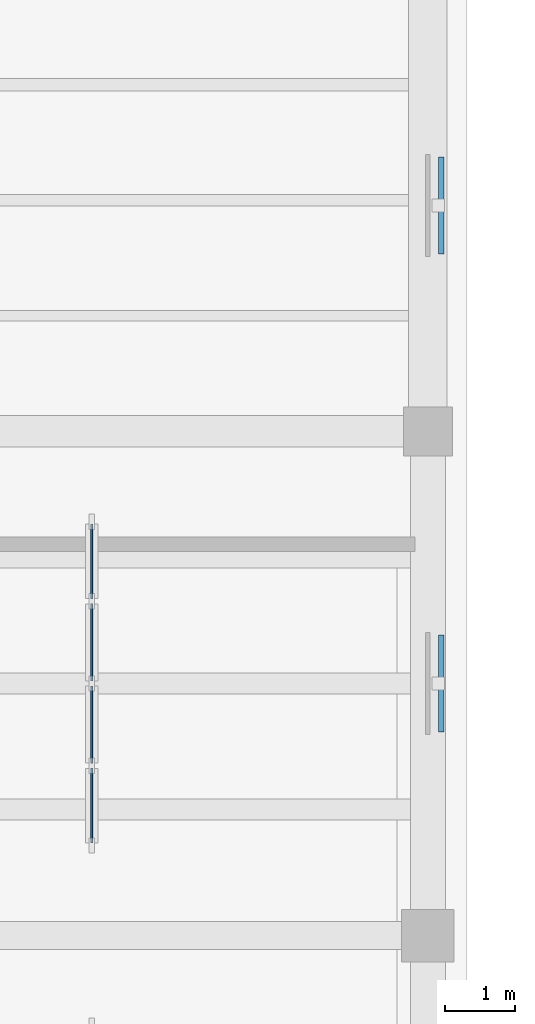
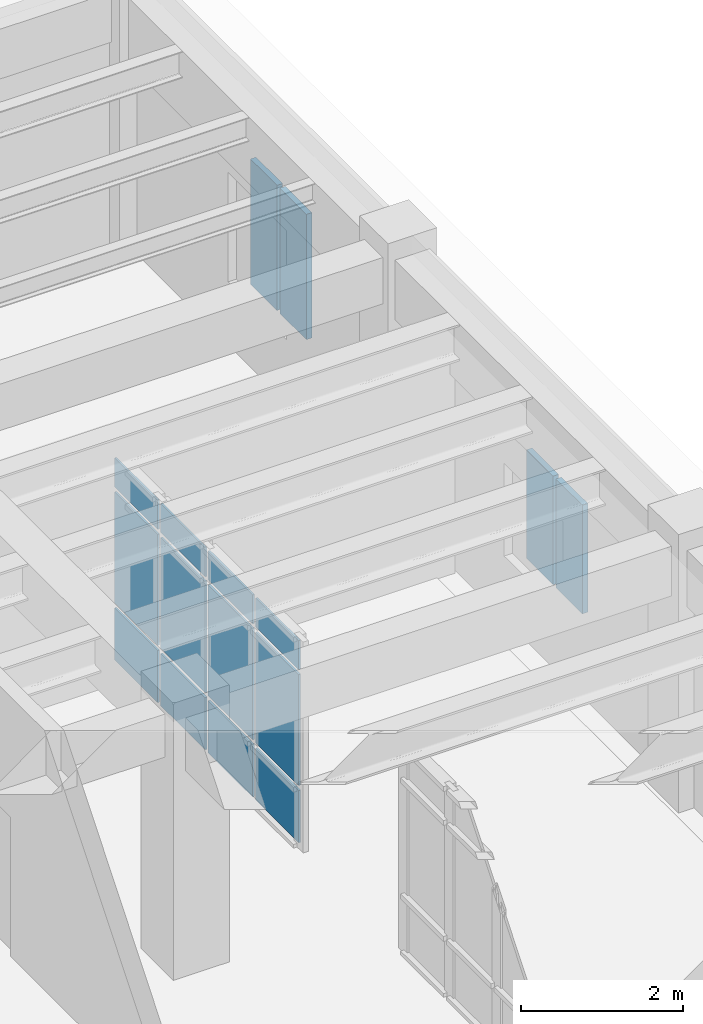
# One storey, part 47 of 76: 16 plates, 1 element without a shape of its own.
"""IFC4 building model written with IfcOpenShell, lengths in metres."""

from ifc_helpers import new_model, si_unit, direction, frame, origin, origin_2d, place, context, subcontext, project, spatial, rectangle, extrude, material, layer, layer_set, type_object, element, aggregate, save


model = new_model("IFC4")

# Units and contexts
model_context = context("Model", 3, precision=1e-05, world=origin(), true_north=direction((0.0, 1.0)))
body_context = subcontext(model_context, "Body", "Model", "MODEL_VIEW")
ifc_project = project(units=[si_unit("LENGTHUNIT", "METRE"), si_unit("AREAUNIT", "SQUARE_METRE"), si_unit("VOLUMEUNIT", "CUBIC_METRE"), si_unit("PLANEANGLEUNIT", "RADIAN"), si_unit("MASSUNIT", "GRAM", prefix="KILO")], contexts=[model_context])

# Site, building, storey
site_placement = place(None, origin())
site = spatial("IfcSite", under=ifc_project, at=site_placement, CompositionType="ELEMENT")
building_placement = place(site_placement, origin())
building = spatial("IfcBuilding", under=site, at=building_placement, Name="Mithqara Police Headquarters", CompositionType="ELEMENT")
storey_placement = place(building_placement, frame((0.0, 0.0, 5.39990234375)))
storey = spatial("IfcBuildingStorey", under=building, at=storey_placement, Name="L01", CompositionType="ELEMENT", Elevation=5.39990234375)

# Curtain wall, plates
ifc_material_1 = material(Name="Bronze anodised aluminium 6063-T6", Category="aluminium")
curtain_wall_type = type_object("IfcCurtainWallType", Name="CURTAIN WALL 4700X3200", PredefinedType="USERDEFINED", material=ifc_material_1)
curtain_wall_placement = place(storey_placement, origin())
curtain_wall = element("IfcCurtainWall", 1, at=curtain_wall_placement, inside=storey, type_object=curtain_wall_type, Name="L01 Unitised Glazing CW-15 (CW-INT-L01-X22-Y14-0)", ObjectType="UNITISED GLAZING", PredefinedType="USERDEFINED")
ifc_material_2 = material(Name="Spectrally selective double low-e glass", Category="glass")
ifc_layer_1 = layer(ifc_material_2, 0.028076171875, Name="Spectrally selective double low-e glass")
ifc_layer_set_1 = layer_set([ifc_layer_1], Name="Spectrally selective double low-e glass")
plate_type_1 = type_object("IfcPlateType", Name="CWPANEL GLASS28", PredefinedType="CURTAIN_PANEL", material=ifc_layer_set_1)
plate_1_placement = place(storey_placement, frame((161.39990234375, 102.05615234375, 0.074951171875), z_axis=(0.0, 0.0, 1.0), x_axis=(0.0, 1.0, 0.0)))
plate_1 = element("IfcPlate", 2, at=plate_1_placement, type_object=plate_type_1, Name="CW-15 panel 1.1", PredefinedType="CURTAIN_PANEL", context=body_context, shape_type="SweptSolid", body=[
    extrude(rectangle(XDim=1.0625, YDim=0.028076171875, at=origin_2d()), origin(), (0.0, 0.0, 1.0), 0.78759765625),
])
plate_2_placement = place(storey_placement, frame((161.39990234375, 102.05615234375, 0.9375), z_axis=(0.0, 0.0, 1.0), x_axis=(0.0, 1.0, 0.0)))
plate_2 = element("IfcPlate", 3, at=plate_2_placement, type_object=plate_type_1, Name="CW-15 panel 1.2", PredefinedType="CURTAIN_PANEL", context=body_context, shape_type="SweptSolid", body=[
    extrude(rectangle(XDim=1.0625, YDim=0.028076171875, at=origin_2d()), origin(), (0.0, 0.0, 1.0), 1.675048828125),
])
plate_3_placement = place(storey_placement, frame((161.39990234375, 102.05615234375, 2.6875), z_axis=(0.0, 0.0, 1.0), x_axis=(0.0, 1.0, 0.0)))
plate_3 = element("IfcPlate", 4, at=plate_3_placement, type_object=plate_type_1, Name="CW-15 panel 1.3", PredefinedType="CURTAIN_PANEL", context=body_context, shape_type="SweptSolid", body=[
    extrude(rectangle(XDim=1.0625, YDim=0.028076171875, at=origin_2d()), origin(), (0.0, 0.0, 1.0), 0.4375),
])
plate_4_placement = place(storey_placement, frame((161.39990234375, 103.21240234375, 0.074951171875), z_axis=(0.0, 0.0, 1.0), x_axis=(0.0, 1.0, 0.0)))
plate_4 = element("IfcPlate", 5, at=plate_4_placement, type_object=plate_type_1, Name="CW-15 panel 2.1", PredefinedType="CURTAIN_PANEL", context=body_context, shape_type="SweptSolid", body=[
    extrude(rectangle(XDim=1.10009765625, YDim=0.028076171875, at=origin_2d()), origin(), (0.0, 0.0, 1.0), 0.78759765625),
])
plate_5_placement = place(storey_placement, frame((161.39990234375, 103.21240234375, 0.9375), z_axis=(0.0, 0.0, 1.0), x_axis=(0.0, 1.0, 0.0)))
plate_5 = element("IfcPlate", 6, at=plate_5_placement, type_object=plate_type_1, Name="CW-15 panel 2.2", PredefinedType="CURTAIN_PANEL", context=body_context, shape_type="SweptSolid", body=[
    extrude(rectangle(XDim=1.10009765625, YDim=0.028076171875, at=origin_2d()), origin(), (0.0, 0.0, 1.0), 1.675048828125),
])
plate_6_placement = place(storey_placement, frame((161.39990234375, 103.21240234375, 2.6875), z_axis=(0.0, 0.0, 1.0), x_axis=(0.0, 1.0, 0.0)))
plate_6 = element("IfcPlate", 7, at=plate_6_placement, type_object=plate_type_1, Name="CW-15 panel 2.3", PredefinedType="CURTAIN_PANEL", context=body_context, shape_type="SweptSolid", body=[
    extrude(rectangle(XDim=1.10009765625, YDim=0.028076171875, at=origin_2d()), origin(), (0.0, 0.0, 1.0), 0.4375),
])
plate_7_placement = place(storey_placement, frame((161.39990234375, 104.387451171875, 0.074951171875), z_axis=(0.0, 0.0, 1.0), x_axis=(0.0, 1.0, 0.0)))
plate_7 = element("IfcPlate", 8, at=plate_7_placement, type_object=plate_type_1, Name="CW-15 panel 3.1", PredefinedType="CURTAIN_PANEL", context=body_context, shape_type="SweptSolid", body=[
    extrude(rectangle(XDim=1.10009765625, YDim=0.028076171875, at=origin_2d()), origin(), (0.0, 0.0, 1.0), 0.78759765625),
])
plate_8_placement = place(storey_placement, frame((161.39990234375, 104.387451171875, 0.9375), z_axis=(0.0, 0.0, 1.0), x_axis=(0.0, 1.0, 0.0)))
plate_8 = element("IfcPlate", 9, at=plate_8_placement, type_object=plate_type_1, Name="CW-15 panel 3.2", PredefinedType="CURTAIN_PANEL", context=body_context, shape_type="SweptSolid", body=[
    extrude(rectangle(XDim=1.10009765625, YDim=0.028076171875, at=origin_2d()), origin(), (0.0, 0.0, 1.0), 1.675048828125),
])
plate_9_placement = place(storey_placement, frame((161.39990234375, 104.387451171875, 2.6875), z_axis=(0.0, 0.0, 1.0), x_axis=(0.0, 1.0, 0.0)))
plate_9 = element("IfcPlate", 10, at=plate_9_placement, type_object=plate_type_1, Name="CW-15 panel 3.3", PredefinedType="CURTAIN_PANEL", context=body_context, shape_type="SweptSolid", body=[
    extrude(rectangle(XDim=1.10009765625, YDim=0.028076171875, at=origin_2d()), origin(), (0.0, 0.0, 1.0), 0.4375),
])
plate_10_placement = place(storey_placement, frame((161.39990234375, 105.543701171875, 0.074951171875), z_axis=(0.0, 0.0, 1.0), x_axis=(0.0, 1.0, 0.0)))
plate_10 = element("IfcPlate", 11, at=plate_10_placement, type_object=plate_type_1, Name="CW-15 panel 4.1", PredefinedType="CURTAIN_PANEL", context=body_context, shape_type="SweptSolid", body=[
    extrude(rectangle(XDim=1.0625, YDim=0.028076171875, at=origin_2d()), origin(), (0.0, 0.0, 1.0), 0.78759765625),
])
plate_11_placement = place(storey_placement, frame((161.39990234375, 105.543701171875, 0.9375), z_axis=(0.0, 0.0, 1.0), x_axis=(0.0, 1.0, 0.0)))
plate_11 = element("IfcPlate", 12, at=plate_11_placement, type_object=plate_type_1, Name="CW-15 panel 4.2", PredefinedType="CURTAIN_PANEL", context=body_context, shape_type="SweptSolid", body=[
    extrude(rectangle(XDim=1.0625, YDim=0.028076171875, at=origin_2d()), origin(), (0.0, 0.0, 1.0), 1.675048828125),
])
plate_12_placement = place(storey_placement, frame((161.39990234375, 105.543701171875, 2.6875), z_axis=(0.0, 0.0, 1.0), x_axis=(0.0, 1.0, 0.0)))
plate_12 = element("IfcPlate", 13, at=plate_12_placement, type_object=plate_type_1, Name="CW-15 panel 4.3", PredefinedType="CURTAIN_PANEL", context=body_context, shape_type="SweptSolid", body=[
    extrude(rectangle(XDim=1.0625, YDim=0.028076171875, at=origin_2d()), origin(), (0.0, 0.0, 1.0), 0.4375),
])
aggregate(curtain_wall, [plate_1, plate_2, plate_3, plate_4, plate_5, plate_6, plate_7, plate_8, plate_9, plate_10, plate_11, plate_12])

# Plates
ifc_material_3 = material(Name="Limestone ashlar masonry, 45 MPa", Category="masonry")
ifc_layer_2 = layer(ifc_material_3, 0.080078125, Name="Limestone ashlar masonry, 45 MPa")
ifc_layer_set_2 = layer_set([ifc_layer_2], Name="Limestone ashlar masonry, 45 MPa")
plate_type_2 = type_object("IfcPlateType", Name="STONE SCREEN 80", PredefinedType="USERDEFINED", material=ifc_layer_set_2)
for number, where, z_axis, x_axis, name in (
    (14, (166.389892578125, 103.4375, 0.830078125), (0.0, 0.0, 1.0), (0.0, 1.0, 0.0), "L01 Pierced Limestone Vertical-Slit Panel 43"),
    (15, (166.389892578125, 104.16259765625, 0.830078125), (0.0, 0.0, 1.0), (0.0, 1.0, 0.0), "L01 Pierced Limestone Vertical-Slit Panel 44"),
):
    element("IfcPlate", number, at=place(storey_placement, frame(where, z_axis=z_axis, x_axis=x_axis)), inside=storey, type_object=plate_type_2, Name=name, ObjectType="STONE SCREEN", PredefinedType="USERDEFINED", context=body_context, shape_type="SweptSolid", body=[
        extrude(rectangle(XDim=0.656005859375, YDim=0.080078125, at=origin_2d()), origin(), (0.0, 0.0, 1.0), 1.639892578125),
    ])
for number, where, z_axis, x_axis, name in (
    (16, (166.389892578125, 110.262451171875, 0.830078125), (0.0, 0.0, 1.0), (0.0, 1.0, 0.0), "L01 Pierced Limestone Vertical-Slit Panel 45"),
    (17, (166.389892578125, 110.987548828125, 0.830078125), (0.0, 0.0, 1.0), (0.0, 1.0, 0.0), "L01 Pierced Limestone Vertical-Slit Panel 46"),
):
    element("IfcPlate", number, at=place(storey_placement, frame(where, z_axis=z_axis, x_axis=x_axis)), inside=storey, type_object=plate_type_2, Name=name, ObjectType="STONE SCREEN", PredefinedType="USERDEFINED", context=body_context, shape_type="SweptSolid", body=[
        extrude(rectangle(XDim=0.656005859375, YDim=0.080078125, at=origin_2d()), origin(), (0.0, 0.0, 1.0), 1.889892578125),
    ])

save(model, "model.ifc")
